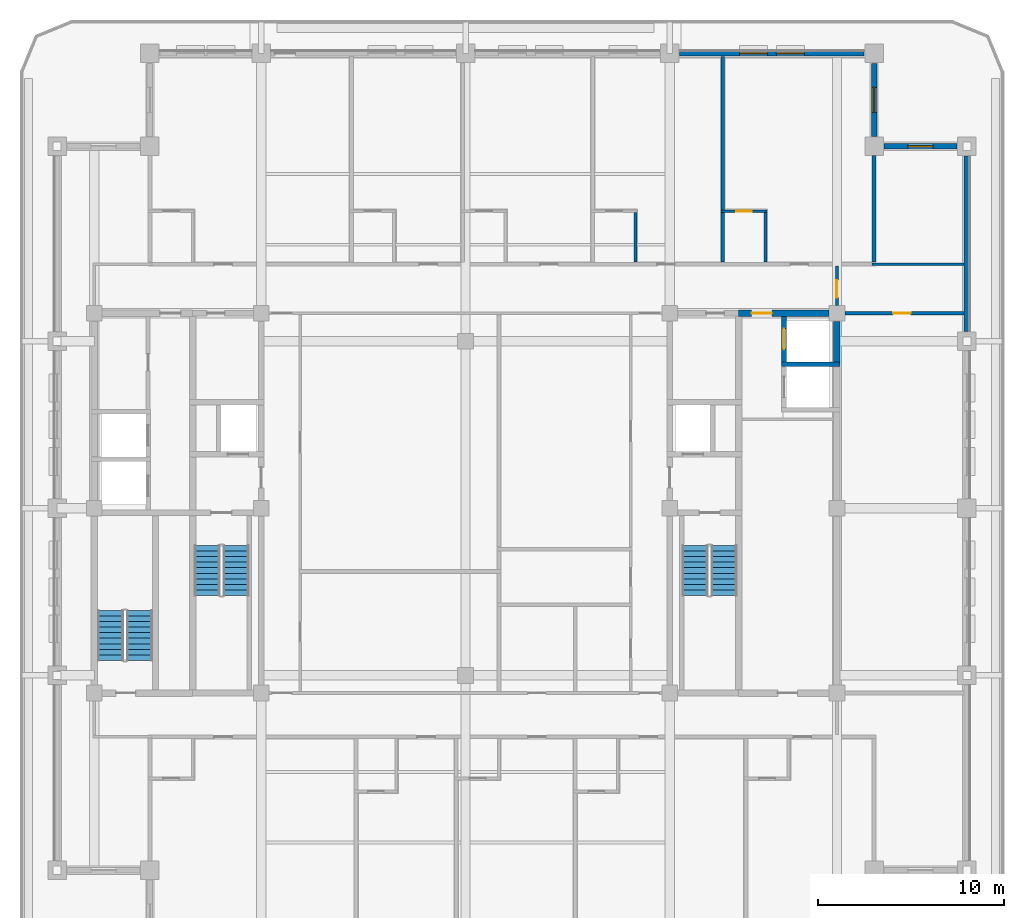
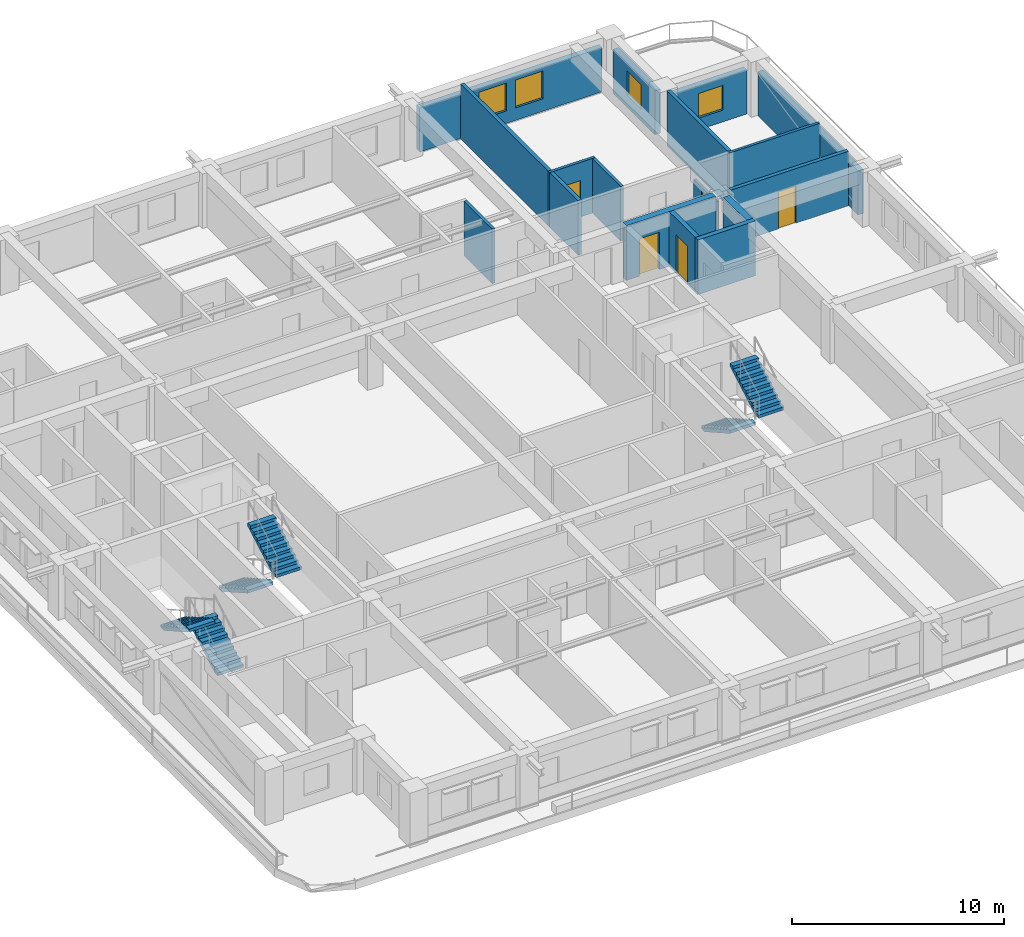
# One storey, part 7 of 13: 17 walls, 6 stair flights, 5 doors, 4 windows, 9 openings, 3 elements without a shape of their own.
"""IFC4 building model written with IfcOpenShell, lengths in metres."""

from ifc_helpers import new_model, si_unit, direction, frame, frame_2d, origin, place, context, subcontext, project, spatial, polyline, rectangle, outline, extrude, material, layer, layer_set, type_object, element, fill, aggregate, save


model = new_model("IFC4")

# Units and contexts
model_context = context("Model", 3, precision=1e-05, world=origin(), true_north=direction((0.0, 1.0)))
body_context = subcontext(model_context, "Body", "Model", "MODEL_VIEW")
ifc_project = project(units=[si_unit("LENGTHUNIT", "METRE"), si_unit("AREAUNIT", "SQUARE_METRE"), si_unit("VOLUMEUNIT", "CUBIC_METRE"), si_unit("PLANEANGLEUNIT", "RADIAN"), si_unit("MASSUNIT", "GRAM", prefix="KILO")], contexts=[model_context])

# Site, building, storey
site_placement = place(None, origin())
site = spatial("IfcSite", under=ifc_project, at=site_placement, CompositionType="ELEMENT")
building_placement = place(site_placement, origin())
building = spatial("IfcBuilding", under=site, at=building_placement, Name="Zulmaris Gate Convention Tower", CompositionType="ELEMENT")
storey_placement = place(building_placement, frame((0.0, 0.0, 166.059814453125)))
storey = spatial("IfcBuildingStorey", under=building, at=storey_placement, Name="L42", CompositionType="ELEMENT", Elevation=166.059814453125)

# Wall
ifc_material_1 = material(Name="Concrete C50/60", Category="concrete")
ifc_layer_1 = layer(ifc_material_1, 0.25, Name="Concrete C50/60")
ifc_layer_set_1 = layer_set([ifc_layer_1], Name="Concrete C50/60")
wall_type_1 = type_object("IfcWallType", Name="CORE-250", PredefinedType="SOLIDWALL", material=ifc_layer_set_1)
wall_1_placement = place(storey_placement, frame((17.02490234375, 7.75, 0.0), z_axis=(0.0, 0.0, 1.0), x_axis=(1.0, 0.0, 0.0)))
element("IfcWall", 1, at=wall_1_placement, inside=storey, type_object=wall_type_1, Name="WL-L42-014", PredefinedType="SOLIDWALL", context=body_context, shape_type="SweptSolid", body=[
    extrude(rectangle(XDim=3.150146484375, YDim=0.25, at=frame_2d((1.5751953125, 0.0))), origin(), (0.0, 0.0, 1.0), 3.150146484375),
])

# Wall, opening, door
wall_2_placement = place(storey_placement, frame((17.14990234375, 7.876953125, 0.0), z_axis=(0.0, 0.0, 1.0), x_axis=(0.0, 1.0, 0.0)))
wall_2 = element("IfcWall", 2, at=wall_2_placement, inside=storey, type_object=wall_type_1, Name="WL-L42-070", PredefinedType="SOLIDWALL", context=body_context, shape_type="SweptSolid", body=[
    extrude(rectangle(XDim=2.446044921875, YDim=0.25, at=frame_2d((1.22314453125, 0.0))), origin(), (0.0, 0.0, 1.0), 3.150146484375),
])
opening_1_placement = place(wall_2_placement, frame((0.697998046875, 0.0, 0.0)))
opening_1 = element("IfcOpeningElement", 3, at=opening_1_placement, cuts=wall_2, Name="Opening D-06", PredefinedType="OPENING", context=body_context, shape_type="SweptSolid", body=[
    extrude(rectangle(XDim=1.10009765625, YDim=2.199951171875, at=frame_2d((0.550048828125, 1.10009765625))), frame((0.0, 0.135009765625, 0.0), z_axis=(0.0, -1.0, 0.0), x_axis=(1.0, 0.0, 0.0)), (0.0, 0.0, 1.0), 0.27001953125),
])
ifc_material_2 = material(Name="Brushed Stainless Steel", Category="steel")
door_type_1 = type_object("IfcDoorType", Name="LD-1100", OperationType="NOTDEFINED", PredefinedType="DOOR", material=ifc_material_2)
door_1_placement = place(opening_1_placement, origin())
door_1 = element("IfcDoor", 4, at=door_1_placement, inside=storey, type_object=door_type_1, Name="L42 Lift Landing Door HP-02 15", OperationType="SLIDING_TO_RIGHT", OverallHeight=2.199951171875, OverallWidth=1.10009765625, PredefinedType="DOOR", context=body_context, shape_type="SweptSolid", body=[
    extrude(rectangle(XDim=1.10009765625, YDim=2.199951171875, at=frame_2d((0.550048828125, 1.10009765625))), frame((0.0, 0.02490234375, 0.0), z_axis=(0.0, -1.0, 0.0), x_axis=(1.0, 0.0, 0.0)), (0.0, 0.0, 1.0), 0.050048828125),
])
fill(opening_1, door_1)

ifc_material_3 = material(Name="Concrete C55/67", Category="concrete")
ifc_layer_2 = layer(ifc_material_3, 0.35009765625, Name="Concrete C55/67")
ifc_layer_set_2 = layer_set([ifc_layer_2], Name="Concrete C55/67")
wall_type_2 = type_object("IfcWallType", Name="CORE-350", PredefinedType="SHEAR", material=ifc_layer_set_2)
wall_3_placement = place(storey_placement, frame((14.699951171875, 10.5, 0.0), z_axis=(0.0, 0.0, 1.0), x_axis=(1.0, 0.0, 0.0)))
wall_3 = element("IfcWall", 5, at=wall_3_placement, inside=storey, type_object=wall_type_2, Name="WL-L42-018", PredefinedType="SHEAR", context=body_context, shape_type="SweptSolid", body=[
    extrude(rectangle(XDim=4.87109375, YDim=0.35009765625, at=frame_2d((2.435546875, 0.0))), origin(), (0.0, 0.0, 1.0), 3.150146484375),
])
opening_2_placement = place(wall_3_placement, frame((0.699951171875, 0.0, 0.0)))
opening_2 = element("IfcOpeningElement", 6, at=opening_2_placement, cuts=wall_3, Name="Opening D-08", PredefinedType="OPENING", context=body_context, shape_type="SweptSolid", body=[
    extrude(rectangle(XDim=1.10009765625, YDim=2.14990234375, at=frame_2d((0.550048828125, 1.074951171875))), frame((0.0, 0.18505859375, 0.0), z_axis=(0.0, -1.0, 0.0), x_axis=(1.0, 0.0, 0.0)), (0.0, 0.0, 1.0), 0.3701171875),
])
ifc_material_4 = material(Name="Fire-Rated Steel", Category="steel")
door_type_2 = type_object("IfcDoorType", Name="DR-1100-FD", OperationType="NOTDEFINED", PredefinedType="DOOR", material=ifc_material_4)
door_2_placement = place(opening_2_placement, origin())
door_2 = element("IfcDoor", 7, at=door_2_placement, inside=storey, type_object=door_type_2, Name="L42 High-Rise East Lift Lobby Door 16", OperationType="SINGLE_SWING_RIGHT", OverallHeight=2.14990234375, OverallWidth=1.10009765625, PredefinedType="DOOR", context=body_context, shape_type="SweptSolid", body=[
    extrude(rectangle(XDim=1.10009765625, YDim=2.14990234375, at=frame_2d((0.550048828125, 1.074951171875))), frame((0.0, 0.02490234375, 0.0), z_axis=(0.0, -1.0, 0.0), x_axis=(1.0, 0.0, 0.0)), (0.0, 0.0, 1.0), 0.050048828125),
])
fill(opening_2, door_2)

# Walls
wall_4_placement = place(storey_placement, frame((20.0, 7.876953125, 0.0), z_axis=(0.0, 0.0, 1.0), x_axis=(0.0, 1.0, 0.0)))
element("IfcWall", 8, at=wall_4_placement, inside=storey, type_object=wall_type_2, Name="WL-L42-073", PredefinedType="SHEAR", context=body_context, shape_type="SweptSolid", body=[
    extrude(rectangle(XDim=2.194091796875, YDim=0.35009765625, at=frame_2d((1.09716796875, 0.0))), origin(), (0.0, 0.0, 1.0), 3.150146484375),
])
ifc_material_5 = material(Name="Gypsum Metal Stud Partition")
ifc_layer_3 = layer(ifc_material_5, 0.14990234375, Name="Gypsum Metal Stud Partition")
ifc_layer_set_3 = layer_set([ifc_layer_3], Name="Gypsum Metal Stud Partition")
wall_type_3 = type_object("IfcWallType", Name="PART-150", PredefinedType="PARTITIONING", material=ifc_layer_set_3)
wall_5_placement = place(storey_placement, frame((21.89990234375, 13.14990234375, 0.0), z_axis=(0.0, 0.0, 1.0), x_axis=(1.0, 0.0, 0.0)))
element("IfcWall", 9, at=wall_5_placement, inside=storey, type_object=wall_type_3, Name="WL-L42-036", PredefinedType="PARTITIONING", context=body_context, shape_type="SweptSolid", body=[
    extrude(rectangle(XDim=4.93505859375, YDim=0.14990234375, at=frame_2d((2.467529296875, 0.0))), origin(), (0.0, 0.0, 1.0), 3.150146484375),
])

# Wall, opening, door
wall_6_placement = place(storey_placement, frame((13.75, 16.0, 0.0), z_axis=(0.0, 0.0, 1.0), x_axis=(1.0, 0.0, 0.0)))
wall_6 = element("IfcWall", 10, at=wall_6_placement, inside=storey, type_object=wall_type_3, Name="WL-L42-041", PredefinedType="PARTITIONING", context=body_context, shape_type="SweptSolid", body=[
    extrude(rectangle(XDim=2.47509765625, YDim=0.14990234375, at=frame_2d((1.237548828125, 0.0))), origin(), (0.0, 0.0, 1.0), 3.150146484375),
])
opening_3_placement = place(wall_6_placement, frame((0.824951171875, 0.0, 0.0)))
opening_3 = element("IfcOpeningElement", 11, at=opening_3_placement, cuts=wall_6, Name="Opening D-17", PredefinedType="OPENING", context=body_context, shape_type="SweptSolid", body=[
    extrude(rectangle(XDim=0.85009765625, YDim=2.10009765625, at=frame_2d((0.425048828125, 1.050048828125))), frame((0.0, 0.0849609375, 0.0), z_axis=(0.0, -1.0, 0.0), x_axis=(1.0, 0.0, 0.0)), (0.0, 0.0, 1.0), 0.169921875),
])
ifc_material_6 = material(Name="Moisture-Resistant Hardwood Timber", Category="wood")
door_type_3 = type_object("IfcDoorType", Name="DR-850", OperationType="NOTDEFINED", PredefinedType="DOOR", material=ifc_material_6)
door_3_placement = place(opening_3_placement, origin())
door_3 = element("IfcDoor", 12, at=door_3_placement, inside=storey, type_object=door_type_3, Name="L42 En-Suite Door 31", OperationType="SINGLE_SWING_LEFT", OverallHeight=2.10009765625, OverallWidth=0.85009765625, PredefinedType="DOOR", context=body_context, shape_type="SweptSolid", body=[
    extrude(rectangle(XDim=0.85009765625, YDim=2.10009765625, at=frame_2d((0.425048828125, 1.050048828125))), frame((0.0, 0.02490234375, 0.0), z_axis=(0.0, -1.0, 0.0), x_axis=(1.0, 0.0, 0.0)), (0.0, 0.0, 1.0), 0.050048828125),
])
fill(opening_3, door_3)

# Walls
for number, where, z_axis, x_axis, name in (
    (13, (9.14990234375, 13.2529296875, 0.0), (0.0, 0.0, 1.0), (0.0, 1.0, 0.0), "WL-L42-110"),
    (14, (16.14990234375, 13.2529296875, 0.0), (0.0, 0.0, 1.0), (0.0, 1.0, 0.0), "WL-L42-115"),
):
    element("IfcWall", number, at=place(storey_placement, frame(where, z_axis=z_axis, x_axis=x_axis)), inside=storey, type_object=wall_type_3, Name=name, PredefinedType="PARTITIONING", context=body_context, shape_type="SweptSolid", body=[
        extrude(rectangle(XDim=2.669189453125, YDim=0.14990234375, at=frame_2d((1.33447265625, 0.0))), origin(), (0.0, 0.0, 1.0), 3.150146484375),
    ])

# Wall, opening, door
wall_7_placement = place(storey_placement, frame((20.0, 10.930908203125, 0.0), z_axis=(0.0, 0.0, 1.0), x_axis=(0.0, 1.0, 0.0)))
wall_7 = element("IfcWall", 15, at=wall_7_placement, inside=storey, type_object=wall_type_3, Name="WL-L42-118", PredefinedType="PARTITIONING", context=body_context, shape_type="SweptSolid", body=[
    extrude(rectangle(XDim=2.1162109375, YDim=0.14990234375, at=frame_2d((1.05810546875, 0.0))), origin(), (0.0, 0.0, 1.0), 2.34228515625),
])
opening_4_placement = place(wall_7_placement, frame((0.4140625, 0.0, 0.0)))
opening_4 = element("IfcOpeningElement", 16, at=opening_4_placement, cuts=wall_7, Name="Opening D-11", PredefinedType="OPENING", context=body_context, shape_type="SweptSolid", body=[
    extrude(rectangle(XDim=0.949951171875, YDim=2.14990234375, at=frame_2d((0.47509765625, 1.074951171875))), frame((0.0, 0.0849609375, 0.0), z_axis=(0.0, -1.0, 0.0), x_axis=(1.0, 0.0, 0.0)), (0.0, 0.0, 1.0), 0.169921875),
])
ifc_material_7 = material(Name="Fire-Rated Timber", Category="wood")
door_type_4 = type_object("IfcDoorType", Name="DR-950-FD", OperationType="NOTDEFINED", PredefinedType="DOOR", material=ifc_material_7)
door_4_placement = place(opening_4_placement, origin())
door_4 = element("IfcDoor", 17, at=door_4_placement, inside=storey, type_object=door_type_4, Name="L42 East Spur Door 48", OperationType="SINGLE_SWING_RIGHT", OverallHeight=2.14990234375, OverallWidth=0.949951171875, PredefinedType="DOOR", context=body_context, shape_type="SweptSolid", body=[
    extrude(rectangle(XDim=0.949951171875, YDim=2.14990234375, at=frame_2d((0.47509765625, 1.074951171875))), frame((0.0, 0.02490234375, 0.0), z_axis=(0.0, -1.0, 0.0), x_axis=(1.0, 0.0, 0.0)), (0.0, 0.0, 1.0), 0.050048828125),
])
fill(opening_4, door_4)

ifc_material_8 = material(Name="Autoclaved Aerated Concrete Block and Plasterboard", Category="concrete")
ifc_layer_4 = layer(ifc_material_8, 0.199951171875, Name="Autoclaved Aerated Concrete Block and Plasterboard")
ifc_layer_set_4 = layer_set([ifc_layer_4], Name="Autoclaved Aerated Concrete Block and Plasterboard")
wall_type_4 = type_object("IfcWallType", Name="PART-200", PredefinedType="PARTITIONING", material=ifc_layer_set_4)
wall_8_placement = place(storey_placement, frame((20.430908203125, 10.5, 0.0), z_axis=(0.0, 0.0, 1.0), x_axis=(1.0, 0.0, 0.0)))
wall_8 = element("IfcWall", 18, at=wall_8_placement, inside=storey, type_object=wall_type_4, Name="WL-L42-033", PredefinedType="PARTITIONING", context=body_context, shape_type="SweptSolid", body=[
    extrude(rectangle(XDim=6.404052734375, YDim=0.199951171875, at=frame_2d((3.2021484375, 0.0))), origin(), (0.0, 0.0, 1.0), 3.150146484375),
])
opening_5_placement = place(wall_8_placement, frame((2.593994140625, 0.0, 0.0)))
opening_5 = element("IfcOpeningElement", 19, at=opening_5_placement, cuts=wall_8, Name="Opening D-11", PredefinedType="OPENING", context=body_context, shape_type="SweptSolid", body=[
    extrude(rectangle(XDim=0.949951171875, YDim=2.14990234375, at=frame_2d((0.47509765625, 1.074951171875))), frame((0.0, 0.10986328125, 0.0), z_axis=(0.0, -1.0, 0.0), x_axis=(1.0, 0.0, 0.0)), (0.0, 0.0, 1.0), 0.219970703125),
])
door_5_placement = place(opening_5_placement, origin())
door_5 = element("IfcDoor", 20, at=door_5_placement, inside=storey, type_object=door_type_4, Name="L42 East Lounge Door 49", OperationType="SINGLE_SWING_LEFT", OverallHeight=2.14990234375, OverallWidth=0.949951171875, PredefinedType="DOOR", context=body_context, shape_type="SweptSolid", body=[
    extrude(rectangle(XDim=0.949951171875, YDim=2.14990234375, at=frame_2d((0.47509765625, 1.074951171875))), frame((0.0, 0.02490234375, 0.0), z_axis=(0.0, -1.0, 0.0), x_axis=(1.0, 0.0, 0.0)), (0.0, 0.0, 1.0), 0.050048828125),
])
fill(opening_5, door_5)

# Walls
wall_9_placement = place(storey_placement, frame((13.85009765625, 13.2529296875, 0.0), z_axis=(0.0, 0.0, 1.0), x_axis=(0.0, 1.0, 0.0)))
element("IfcWall", 21, at=wall_9_placement, inside=storey, type_object=wall_type_4, Name="WL-L42-111", PredefinedType="PARTITIONING", context=body_context, shape_type="SweptSolid", body=[
    extrude(rectangle(XDim=2.669189453125, YDim=0.199951171875, at=frame_2d((1.33447265625, 0.0))), origin(), (0.0, 0.0, 1.0), 3.150146484375),
])
wall_10_placement = place(storey_placement, frame((13.85009765625, 16.077880859375, 0.0), z_axis=(0.0, 0.0, 1.0), x_axis=(0.0, 1.0, 0.0)))
element("IfcWall", 22, at=wall_10_placement, inside=storey, type_object=wall_type_4, Name="WL-L42-112", PredefinedType="PARTITIONING", context=body_context, shape_type="SweptSolid", body=[
    extrude(rectangle(XDim=8.257080078125, YDim=0.199951171875, at=frame_2d((4.12841796875, 0.0))), origin(), (0.0, 0.0, 1.0), 3.150146484375),
])
wall_11_placement = place(storey_placement, frame((22.0, 13.2529296875, 0.0), z_axis=(0.0, 0.0, 1.0), x_axis=(0.0, 1.0, 0.0)))
element("IfcWall", 23, at=wall_11_placement, inside=storey, type_object=wall_type_4, Name="WL-L42-120", PredefinedType="PARTITIONING", context=body_context, shape_type="SweptSolid", body=[
    extrude(rectangle(XDim=5.740966796875, YDim=0.199951171875, at=frame_2d((2.87060546875, 0.0))), origin(), (0.0, 0.0, 1.0), 3.150146484375),
])

# Wall, opening, window
ifc_material_9 = material(Name="Precast concrete C40/50", Category="concrete")
ifc_layer_5 = layer(ifc_material_9, 0.300048828125, Name="Precast concrete C40/50")
ifc_layer_set_5 = layer_set([ifc_layer_5], Name="Precast concrete C40/50")
wall_type_5 = type_object("IfcWallType", Name="PRECAST-PIER-300", PredefinedType="STANDARD", material=ifc_layer_set_5)
wall_12_placement = place(storey_placement, frame((26.469970703125, 19.5, 0.0), z_axis=(0.0, 0.0, 1.0), x_axis=(-1.0, 0.0, 0.0)))
wall_12 = element("IfcWall", 24, at=wall_12_placement, inside=storey, type_object=wall_type_5, Name="EW-L42-NOTCH-NE1_0", PredefinedType="STANDARD", context=body_context, shape_type="SweptSolid", body=[
    extrude(rectangle(XDim=3.93994140625, YDim=0.300048828125, at=frame_2d((1.969970703125, 0.0))), origin(), (0.0, 0.0, 1.0), 2.542236328125),
])
opening_6_placement = place(wall_12_placement, frame((1.294921875, 0.0, 0.679931640625)))
opening_6 = element("IfcOpeningElement", 25, at=opening_6_placement, cuts=wall_12, Name="Opening W-10", PredefinedType="OPENING", context=body_context, shape_type="SweptSolid", body=[
    extrude(rectangle(XDim=1.35009765625, YDim=1.419921875, at=frame_2d((0.675048828125, 0.7099609375))), frame((0.0, 0.16015625, 0.0), z_axis=(0.0, -1.0, 0.0), x_axis=(1.0, 0.0, 0.0)), (0.0, 0.0, 1.0), 0.320068359375),
])
ifc_material_10 = material(Name="Low-E Laminated Double Glazing in Aluminium Frame", Category="aluminium")
window_type_1 = type_object("IfcWindowType", Name="WIN-1350x2000", PartitioningType="SINGLE_PANEL", PredefinedType="WINDOW", material=ifc_material_10)
window_1_placement = place(opening_6_placement, origin())
window_1 = element("IfcWindow", 26, at=window_1_placement, inside=storey, type_object=window_type_1, Name="WN-EW-L42-NOTCH-NE1_0", OverallHeight=1.419921875, OverallWidth=1.35009765625, PartitioningType="SINGLE_PANEL", PredefinedType="WINDOW", context=body_context, shape_type="SweptSolid", body=[
    extrude(rectangle(XDim=1.35009765625, YDim=1.419921875, at=frame_2d((0.675048828125, 0.7099609375))), frame((0.0, 0.030029296875, 0.0), z_axis=(0.0, -1.0, 0.0), x_axis=(1.0, 0.0, 0.0)), (0.0, 0.0, 1.0), 0.06005859375),
])
fill(opening_6, window_1)

wall_13_placement = place(storey_placement, frame((22.0, 20.030029296875, 0.0), z_axis=(0.0, 0.0, 1.0), x_axis=(0.0, 1.0, 0.0)))
wall_13 = element("IfcWall", 27, at=wall_13_placement, inside=storey, type_object=wall_type_5, Name="EW-L42-NOTCH-NE2_0", PredefinedType="STANDARD", context=body_context, shape_type="SweptSolid", body=[
    extrude(rectangle(XDim=3.93994140625, YDim=0.300048828125, at=frame_2d((1.969970703125, 0.0))), origin(), (0.0, 0.0, 1.0), 2.542236328125),
])
opening_7_placement = place(wall_13_placement, frame((1.294921875, 0.0, 0.679931640625)))
opening_7 = element("IfcOpeningElement", 28, at=opening_7_placement, cuts=wall_13, Name="Opening W-10", PredefinedType="OPENING", context=body_context, shape_type="SweptSolid", body=[
    extrude(rectangle(XDim=1.35009765625, YDim=1.419921875, at=frame_2d((0.675048828125, 0.7099609375))), frame((0.0, 0.16015625, 0.0), z_axis=(0.0, -1.0, 0.0), x_axis=(1.0, 0.0, 0.0)), (0.0, 0.0, 1.0), 0.320068359375),
])
window_2_placement = place(opening_7_placement, origin())
window_2 = element("IfcWindow", 29, at=window_2_placement, inside=storey, type_object=window_type_1, Name="WN-EW-L42-NOTCH-NE2_0", OverallHeight=1.419921875, OverallWidth=1.35009765625, PartitioningType="SINGLE_PANEL", PredefinedType="WINDOW", context=body_context, shape_type="SweptSolid", body=[
    extrude(rectangle(XDim=1.35009765625, YDim=1.419921875, at=frame_2d((0.675048828125, 0.7099609375))), frame((0.0, 0.030029296875, 0.0), z_axis=(0.0, -1.0, 0.0), x_axis=(1.0, 0.0, 0.0)), (0.0, 0.0, 1.0), 0.06005859375),
])
fill(opening_7, window_2)

# Wall, openings, windows
wall_14_placement = place(storey_placement, frame((21.469970703125, 24.5, 0.0), z_axis=(0.0, 0.0, 1.0), x_axis=(-1.0, 0.0, 0.0)))
wall_14 = element("IfcWall", 30, at=wall_14_placement, inside=storey, type_object=wall_type_5, Name="EW-L42-N-3_0", PredefinedType="STANDARD", context=body_context, shape_type="SweptSolid", body=[
    extrude(rectangle(XDim=9.93994140625, YDim=0.300048828125, at=frame_2d((4.969970703125, 0.0))), origin(), (0.0, 0.0, 1.0), 2.542236328125),
])
opening_8_placement = place(wall_14_placement, frame((3.22607421875, 0.0, 0.719970703125)))
opening_8 = element("IfcOpeningElement", 31, at=opening_8_placement, cuts=wall_14, Name="Opening W-03", PredefinedType="OPENING", context=body_context, shape_type="SweptSolid", body=[
    extrude(rectangle(XDim=1.5, YDim=1.60009765625, at=frame_2d((0.75, 0.800048828125))), frame((0.0, 0.16015625, 0.0), z_axis=(0.0, -1.0, 0.0), x_axis=(1.0, 0.0, 0.0)), (0.0, 0.0, 1.0), 0.320068359375),
])
opening_9_placement = place(wall_14_placement, frame((5.214111328125, 0.0, 0.719970703125)))
opening_9 = element("IfcOpeningElement", 32, at=opening_9_placement, cuts=wall_14, Name="Opening W-03", PredefinedType="OPENING", context=body_context, shape_type="SweptSolid", body=[
    extrude(rectangle(XDim=1.5, YDim=1.60009765625, at=frame_2d((0.75, 0.800048828125))), frame((0.0, 0.16015625, 0.0), z_axis=(0.0, -1.0, 0.0), x_axis=(1.0, 0.0, 0.0)), (0.0, 0.0, 1.0), 0.320068359375),
])
window_type_2 = type_object("IfcWindowType", Name="WIN-1500x2100", PartitioningType="SINGLE_PANEL", PredefinedType="WINDOW", material=ifc_material_10)
window_3_placement = place(opening_8_placement, origin())
window_3 = element("IfcWindow", 33, at=window_3_placement, inside=storey, type_object=window_type_2, Name="WN-EW-L42-N-3_0-2", OverallHeight=1.60009765625, OverallWidth=1.5, PartitioningType="SINGLE_PANEL", PredefinedType="WINDOW", context=body_context, shape_type="SweptSolid", body=[
    extrude(rectangle(XDim=1.5, YDim=1.60009765625, at=frame_2d((0.75, 0.800048828125))), frame((0.0, 0.030029296875, 0.0), z_axis=(0.0, -1.0, 0.0), x_axis=(1.0, 0.0, 0.0)), (0.0, 0.0, 1.0), 0.06005859375),
])
fill(opening_8, window_3)
window_4_placement = place(opening_9_placement, origin())
window_4 = element("IfcWindow", 34, at=window_4_placement, inside=storey, type_object=window_type_2, Name="WN-EW-L42-N-3_0-3", OverallHeight=1.60009765625, OverallWidth=1.5, PartitioningType="SINGLE_PANEL", PredefinedType="WINDOW", context=body_context, shape_type="SweptSolid", body=[
    extrude(rectangle(XDim=1.5, YDim=1.60009765625, at=frame_2d((0.75, 0.800048828125))), frame((0.0, 0.030029296875, 0.0), z_axis=(0.0, -1.0, 0.0), x_axis=(1.0, 0.0, 0.0)), (0.0, 0.0, 1.0), 0.06005859375),
])
fill(opening_9, window_4)

# Wall
wall_15_placement = place(storey_placement, frame((27.0, 9.530029296875, 0.0), z_axis=(0.0, 0.0, 1.0), x_axis=(0.0, 1.0, 0.0)))
element("IfcWall", 35, at=wall_15_placement, inside=storey, type_object=wall_type_5, Name="EW-L42-E-3_0", PredefinedType="STANDARD", context=body_context, shape_type="SweptSolid", body=[
    extrude(rectangle(XDim=9.43994140625, YDim=0.300048828125, at=frame_2d((4.719970703125, 0.0))), origin(), (0.0, 0.0, 1.0), 2.542236328125),
])

# Stair, stair flights
ifc_material_11 = material(Name="Concrete C45/55", Category="concrete")
stair_type = type_object("IfcStairType", Name="ST-CORE-DOGLEG", PredefinedType="HALF_TURN_STAIR", material=ifc_material_11)
stair_1_placement = place(storey_placement, origin())
stair_1 = element("IfcStair", 36, at=stair_1_placement, inside=storey, type_object=stair_type, Name="L42 Core Exit Stair ST-1", PredefinedType="HALF_TURN_STAIR")
ifc_layer_6 = layer(ifc_material_11, 0.14990234375, Name="Concrete C45/55")
ifc_layer_set_6 = layer_set([ifc_layer_6], Name="Concrete C45/55")
stair_flight_type = type_object("IfcStairFlightType", Name="STF-RC150", PredefinedType="STRAIGHT", material=ifc_layer_set_6)
stair_flight_1_placement = place(storey_placement, frame((-13.919921875, -2.0, 0.0), z_axis=(0.0, 0.0, 1.0), x_axis=(0.0, -1.0, 0.0)))
stair_flight_1 = element("IfcStairFlight", 37, at=stair_flight_1_placement, type_object=stair_flight_type, Name="ST-1 flight 1", NumberOfRisers=10, NumberOfTreads=9, PredefinedType="STRAIGHT", RiserHeight=0.17001, TreadLength=0.3, context=body_context, shape_type="SweptSolid", body=[
    extrude(outline(polyline([(0.0, 0.0), (0.0, 0.169921875), (0.300048828125, 0.169921875), (0.300048828125, 0.340087890625), (0.60009765625, 0.340087890625), (0.60009765625, 0.510009765625), (0.89990234375, 0.510009765625), (0.89990234375, 0.679931640625), (1.199951171875, 0.679931640625), (1.199951171875, 0.85009765625), (1.5, 0.85009765625), (1.5, 1.02001953125), (1.800048828125, 1.02001953125), (1.800048828125, 1.190185546875), (2.10009765625, 1.190185546875), (2.10009765625, 1.360107421875), (2.39990234375, 1.360107421875), (2.39990234375, 1.530029296875), (2.699951171875, 1.530029296875), (2.699951171875, 1.7001953125), (2.699951171875, 1.35791015625), (0.303955078125, 0.0), (0.0, 0.0)])), frame((0.0, 0.699951171875, 0.0), z_axis=(0.0, -1.0, 0.0), x_axis=(1.0, 0.0, 0.0)), (0.0, 0.0, 1.0), 1.39990234375),
])
stair_flight_2_placement = place(storey_placement, frame((-12.360107421875, -4.699951171875, 1.7001953125), z_axis=(0.0, 0.0, 1.0), x_axis=(0.0, 1.0, 0.0)))
stair_flight_2 = element("IfcStairFlight", 38, at=stair_flight_2_placement, type_object=stair_flight_type, Name="ST-1 flight 2", NumberOfRisers=10, NumberOfTreads=9, PredefinedType="STRAIGHT", RiserHeight=0.17001, TreadLength=0.3, context=body_context, shape_type="SweptSolid", body=[
    extrude(outline(polyline([(0.0, 0.0), (0.0, 0.169921875), (0.300048828125, 0.169921875), (0.300048828125, 0.340087890625), (0.60009765625, 0.340087890625), (0.60009765625, 0.510009765625), (0.89990234375, 0.510009765625), (0.89990234375, 0.679931640625), (1.199951171875, 0.679931640625), (1.199951171875, 0.85009765625), (1.5, 0.85009765625), (1.5, 1.02001953125), (1.800048828125, 1.02001953125), (1.800048828125, 1.190185546875), (2.10009765625, 1.190185546875), (2.10009765625, 1.360107421875), (2.39990234375, 1.360107421875), (2.39990234375, 1.530029296875), (2.699951171875, 1.530029296875), (2.699951171875, 1.7001953125), (2.699951171875, 1.35791015625), (0.303955078125, 0.0), (0.0, 0.0)])), frame((0.0, 0.699951171875, 0.0), z_axis=(0.0, -1.0, 0.0), x_axis=(1.0, 0.0, 0.0)), (0.0, 0.0, 1.0), 1.39990234375),
])
aggregate(stair_1, [stair_flight_1, stair_flight_2])

stair_2_placement = place(storey_placement, origin())
stair_2 = element("IfcStair", 39, at=stair_2_placement, inside=storey, type_object=stair_type, Name="L42 Core Exit Stair ST-2", PredefinedType="HALF_TURN_STAIR")
stair_flight_3_placement = place(storey_placement, frame((12.360107421875, -2.0, 0.0), z_axis=(0.0, 0.0, 1.0), x_axis=(0.0, -1.0, 0.0)))
stair_flight_3 = element("IfcStairFlight", 40, at=stair_flight_3_placement, type_object=stair_flight_type, Name="ST-2 flight 1", NumberOfRisers=10, NumberOfTreads=9, PredefinedType="STRAIGHT", RiserHeight=0.17001, TreadLength=0.3, context=body_context, shape_type="SweptSolid", body=[
    extrude(outline(polyline([(0.0, 0.0), (0.0, 0.169921875), (0.300048828125, 0.169921875), (0.300048828125, 0.340087890625), (0.60009765625, 0.340087890625), (0.60009765625, 0.510009765625), (0.89990234375, 0.510009765625), (0.89990234375, 0.679931640625), (1.199951171875, 0.679931640625), (1.199951171875, 0.85009765625), (1.5, 0.85009765625), (1.5, 1.02001953125), (1.800048828125, 1.02001953125), (1.800048828125, 1.190185546875), (2.10009765625, 1.190185546875), (2.10009765625, 1.360107421875), (2.39990234375, 1.360107421875), (2.39990234375, 1.530029296875), (2.699951171875, 1.530029296875), (2.699951171875, 1.7001953125), (2.699951171875, 1.35791015625), (0.303955078125, 0.0), (0.0, 0.0)])), frame((0.0, 0.699951171875, 0.0), z_axis=(0.0, -1.0, 0.0), x_axis=(1.0, 0.0, 0.0)), (0.0, 0.0, 1.0), 1.39990234375),
])
stair_flight_4_placement = place(storey_placement, frame((13.919921875, -4.699951171875, 1.7001953125), z_axis=(0.0, 0.0, 1.0), x_axis=(0.0, 1.0, 0.0)))
stair_flight_4 = element("IfcStairFlight", 41, at=stair_flight_4_placement, type_object=stair_flight_type, Name="ST-2 flight 2", NumberOfRisers=10, NumberOfTreads=9, PredefinedType="STRAIGHT", RiserHeight=0.17001, TreadLength=0.3, context=body_context, shape_type="SweptSolid", body=[
    extrude(outline(polyline([(0.0, 0.0), (0.0, 0.169921875), (0.300048828125, 0.169921875), (0.300048828125, 0.340087890625), (0.60009765625, 0.340087890625), (0.60009765625, 0.510009765625), (0.89990234375, 0.510009765625), (0.89990234375, 0.679931640625), (1.199951171875, 0.679931640625), (1.199951171875, 0.85009765625), (1.5, 0.85009765625), (1.5, 1.02001953125), (1.800048828125, 1.02001953125), (1.800048828125, 1.190185546875), (2.10009765625, 1.190185546875), (2.10009765625, 1.360107421875), (2.39990234375, 1.360107421875), (2.39990234375, 1.530029296875), (2.699951171875, 1.530029296875), (2.699951171875, 1.7001953125), (2.699951171875, 1.35791015625), (0.303955078125, 0.0), (0.0, 0.0)])), frame((0.0, 0.699951171875, 0.0), z_axis=(0.0, -1.0, 0.0), x_axis=(1.0, 0.0, 0.0)), (0.0, 0.0, 1.0), 1.39990234375),
])
aggregate(stair_2, [stair_flight_3, stair_flight_4])

stair_3_placement = place(storey_placement, origin())
stair_3 = element("IfcStair", 42, at=stair_3_placement, inside=storey, type_object=stair_type, Name="L42 Core Exit Stair ST-3", PredefinedType="HALF_TURN_STAIR")
stair_flight_5_placement = place(storey_placement, frame((-17.56005859375, -8.199951171875, 0.0), z_axis=(0.0, 0.0, 1.0), x_axis=(0.0, 1.0, 0.0)))
stair_flight_5 = element("IfcStairFlight", 43, at=stair_flight_5_placement, type_object=stair_flight_type, Name="ST-3 flight 1", NumberOfRisers=10, NumberOfTreads=9, PredefinedType="STRAIGHT", RiserHeight=0.17001, TreadLength=0.3, context=body_context, shape_type="SweptSolid", body=[
    extrude(outline(polyline([(0.0, 0.0), (0.0, 0.169921875), (0.300048828125, 0.169921875), (0.300048828125, 0.340087890625), (0.60009765625, 0.340087890625), (0.60009765625, 0.510009765625), (0.89990234375, 0.510009765625), (0.89990234375, 0.679931640625), (1.199951171875, 0.679931640625), (1.199951171875, 0.85009765625), (1.5, 0.85009765625), (1.5, 1.02001953125), (1.800048828125, 1.02001953125), (1.800048828125, 1.190185546875), (2.10009765625, 1.190185546875), (2.10009765625, 1.360107421875), (2.39990234375, 1.360107421875), (2.39990234375, 1.530029296875), (2.699951171875, 1.530029296875), (2.699951171875, 1.7001953125), (2.699951171875, 1.35791015625), (0.303955078125, 0.0), (0.0, 0.0)])), frame((0.0, 0.699951171875, 0.0), z_axis=(0.0, -1.0, 0.0), x_axis=(1.0, 0.0, 0.0)), (0.0, 0.0, 1.0), 1.39990234375),
])
stair_flight_6_placement = place(storey_placement, frame((-19.1201171875, -5.5, 1.7001953125), z_axis=(0.0, 0.0, 1.0), x_axis=(0.0, -1.0, 0.0)))
stair_flight_6 = element("IfcStairFlight", 44, at=stair_flight_6_placement, type_object=stair_flight_type, Name="ST-3 flight 2", NumberOfRisers=10, NumberOfTreads=9, PredefinedType="STRAIGHT", RiserHeight=0.17001, TreadLength=0.3, context=body_context, shape_type="SweptSolid", body=[
    extrude(outline(polyline([(0.0, 0.0), (0.0, 0.169921875), (0.300048828125, 0.169921875), (0.300048828125, 0.340087890625), (0.60009765625, 0.340087890625), (0.60009765625, 0.510009765625), (0.89990234375, 0.510009765625), (0.89990234375, 0.679931640625), (1.199951171875, 0.679931640625), (1.199951171875, 0.85009765625), (1.5, 0.85009765625), (1.5, 1.02001953125), (1.800048828125, 1.02001953125), (1.800048828125, 1.190185546875), (2.10009765625, 1.190185546875), (2.10009765625, 1.360107421875), (2.39990234375, 1.360107421875), (2.39990234375, 1.530029296875), (2.699951171875, 1.530029296875), (2.699951171875, 1.7001953125), (2.699951171875, 1.35791015625), (0.303955078125, 0.0), (0.0, 0.0)])), frame((0.0, 0.699951171875, 0.0), z_axis=(0.0, -1.0, 0.0), x_axis=(1.0, 0.0, 0.0)), (0.0, 0.0, 1.0), 1.39990234375),
])
aggregate(stair_3, [stair_flight_5, stair_flight_6])

save(model, "model.ifc")
